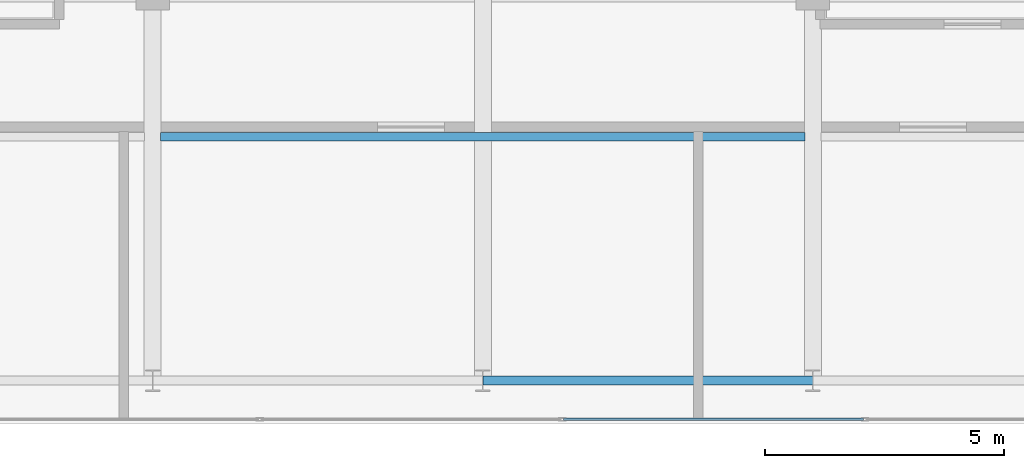
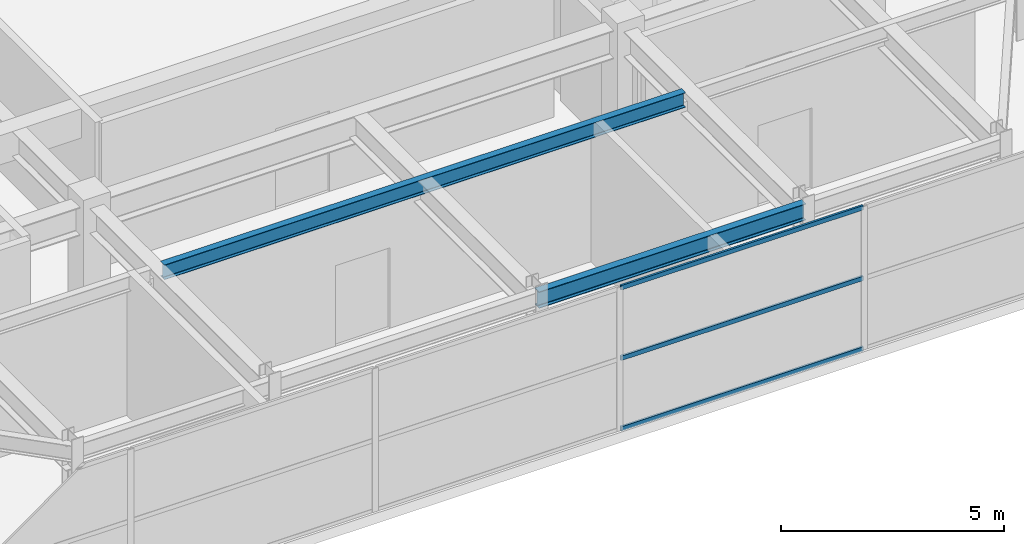
# One storey, part 8 of 32: 3 members, 2 beams, 1 element without a shape of its own.
"""IFC4 building model written with IfcOpenShell, lengths in metres."""

from ifc_helpers import new_model, si_unit, direction, frame, origin, origin_2d, place, context, subcontext, project, spatial, hollow_rectangle, i_section, extrude, source, transform, mapped, material, layer, layer_set, material_profile, profile_set, type_object, element, aggregate, save


model = new_model("IFC4")

# Units and contexts
model_context = context("Model", 3, precision=1e-05, world=origin(), true_north=direction((0.0, 1.0)))
body_context = subcontext(model_context, "Body", "Model", "MODEL_VIEW")
ifc_project = project(units=[si_unit("LENGTHUNIT", "METRE"), si_unit("AREAUNIT", "SQUARE_METRE"), si_unit("VOLUMEUNIT", "CUBIC_METRE"), si_unit("PLANEANGLEUNIT", "RADIAN"), si_unit("MASSUNIT", "GRAM", prefix="KILO")], contexts=[model_context])

# Site, building, storey
site_placement = place(None, origin())
site = spatial("IfcSite", under=ifc_project, at=site_placement, CompositionType="ELEMENT")
building_placement = place(site_placement, origin())
building = spatial("IfcBuilding", under=site, at=building_placement, Name="Khoralis Quay Care Tower", CompositionType="ELEMENT")
storey_placement = place(building_placement, frame((0.0, 0.0, 297.89990234375)))
storey = spatial("IfcBuildingStorey", under=building, at=storey_placement, Name="L78", CompositionType="ELEMENT", Elevation=297.89990234375)

# Beams
ifc_material_1 = material(Name="Steel S355", Category="steel")
ifc_material_profile_1 = material_profile(ifc_material_1, i_section(OverallWidth=0.18994140625, OverallDepth=0.449951171875, WebThickness=0.009521484375, FlangeThickness=0.0146484375, FilletRadius=0.02099609375, at=origin_2d()), Name="Steel S355")
ifc_profile_set_1 = profile_set([ifc_material_profile_1], Name="Steel S355")
beam_type_1 = type_object("IfcBeamType", Name="BM-IPE450", PredefinedType="SPANDREL", material=ifc_profile_set_1)
shared_shape_1 = source(origin(), body_context, "Body", "SweptSolid", [
    extrude(i_section(OverallWidth=0.18994140625, OverallDepth=0.449951171875, WebThickness=0.009521484375, FlangeThickness=0.0146484375, FilletRadius=0.02099609375, at=origin_2d()), origin(), (0.0, 0.0, 1.0), 6.89990234375),
])
beam_1_placement = place(storey_placement, frame((24.0, 3.89990234375, 3.695068359375), z_axis=(1.0, 0.0, 0.0), x_axis=(0.0, 1.0, 0.0)))
element("IfcBeam", 1, at=beam_1_placement, inside=storey, type_object=beam_type_1, Name="BM-TSP-L78-03", PredefinedType="SPANDREL", context=body_context, shape_type="MappedRepresentation", body=[
    mapped(shared_shape_1, transform((0.0, 0.0, 0.0), scale=1.0)),
])
ifc_material_profile_2 = material_profile(ifc_material_1, i_section(OverallWidth=0.177978515625, OverallDepth=0.406982421875, WebThickness=0.0078125, FlangeThickness=0.0126953125, FilletRadius=0.012939453125, at=origin_2d()), Name="Steel S355")
ifc_profile_set_2 = profile_set([ifc_material_profile_2], Name="Steel S355")
beam_type_2 = type_object("IfcBeamType", Name="BM-W410X60", PredefinedType="JOIST", material=ifc_profile_set_2)
shared_shape_2 = source(origin(), body_context, "Body", "SweptSolid", [
    extrude(i_section(OverallWidth=0.177978515625, OverallDepth=0.406982421875, WebThickness=0.0078125, FlangeThickness=0.0126953125, FilletRadius=0.012939453125, at=origin_2d()), origin(), (0.0, 0.0, 1.0), 13.46923828125),
])
beam_2_placement = place(storey_placement, frame((17.265380859375, 9.0, 3.716552734375), z_axis=(1.0, 0.0, 0.0), x_axis=(0.0, 1.0, 0.0)))
element("IfcBeam", 2, at=beam_2_placement, inside=storey, type_object=beam_type_2, Name="BM-TJS-L78-23", PredefinedType="JOIST", context=body_context, shape_type="MappedRepresentation", body=[
    mapped(shared_shape_2, transform((0.0, 0.0, 0.0), scale=1.0)),
])

# Curtain wall, members
ifc_material_2 = material(Name="Pale anodised aluminium", Category="aluminium")
ifc_layer = layer(ifc_material_2, 0.199951171875)
ifc_layer_set = layer_set([ifc_layer], Name="Pale anodised aluminium")
curtain_wall_type = type_object("IfcCurtainWallType", Name="CW-SYS-LANTERN", PredefinedType="NOTDEFINED", material=ifc_layer_set)
curtain_wall_placement = place(storey_placement, origin())
curtain_wall = element("IfcCurtainWall", 3, at=curtain_wall_placement, inside=storey, type_object=curtain_wall_type, Name="L78 Unitised Curtain Wall CW-LN-L78-01", PredefinedType="NOTDEFINED")
ifc_material_profile_3 = material_profile(ifc_material_2, hollow_rectangle(XDim=0.054931640625, YDim=0.1201171875, WallThickness=0.00390625, at=origin_2d()), Name="Pale anodised aluminium")
ifc_profile_set_3 = profile_set([ifc_material_profile_3], Name="Pale anodised aluminium")
member_type = type_object("IfcMemberType", Name="CW-TRN-120", PredefinedType="USERDEFINED", material=ifc_profile_set_3)
shared_shape_3 = source(origin(), body_context, "Body", "SweptSolid", [
    extrude(hollow_rectangle(XDim=0.054931640625, YDim=0.1201171875, WallThickness=0.00390625, at=origin_2d()), origin(), (0.0, 0.0, 1.0), 6.26416015625),
])
member_1_placement = place(storey_placement, frame((25.69189453125, 3.090087890625, 0.030029296875), z_axis=(1.0, 0.0, 0.0), x_axis=(0.0, 1.0, 0.0)))
member_1 = element("IfcMember", 4, at=member_1_placement, type_object=member_type, Name="CW5 transom 4.1", ObjectType="TRANSOM", PredefinedType="USERDEFINED", context=body_context, shape_type="MappedRepresentation", body=[
    mapped(shared_shape_3, transform((0.0, 0.0, 0.0), scale=1.0)),
])
member_2_placement = place(storey_placement, frame((25.69189453125, 3.090087890625, 1.960205078125), z_axis=(1.0, 0.0, 0.0), x_axis=(0.0, 1.0, 0.0)))
member_2 = element("IfcMember", 5, at=member_2_placement, type_object=member_type, Name="CW5 transom 4.2", ObjectType="TRANSOM", PredefinedType="USERDEFINED", context=body_context, shape_type="MappedRepresentation", body=[
    mapped(shared_shape_3, transform((0.0, 0.0, 0.0), scale=1.0)),
])
member_3_placement = place(storey_placement, frame((25.69189453125, 3.090087890625, 3.89013671875), z_axis=(1.0, 0.0, 0.0), x_axis=(0.0, 1.0, 0.0)))
member_3 = element("IfcMember", 6, at=member_3_placement, type_object=member_type, Name="CW5 transom 4.3", ObjectType="TRANSOM", PredefinedType="USERDEFINED", context=body_context, shape_type="MappedRepresentation", body=[
    mapped(shared_shape_3, transform((0.0, 0.0, 0.0), scale=1.0)),
])
aggregate(curtain_wall, [member_1, member_2, member_3])

save(model, "model.ifc")
